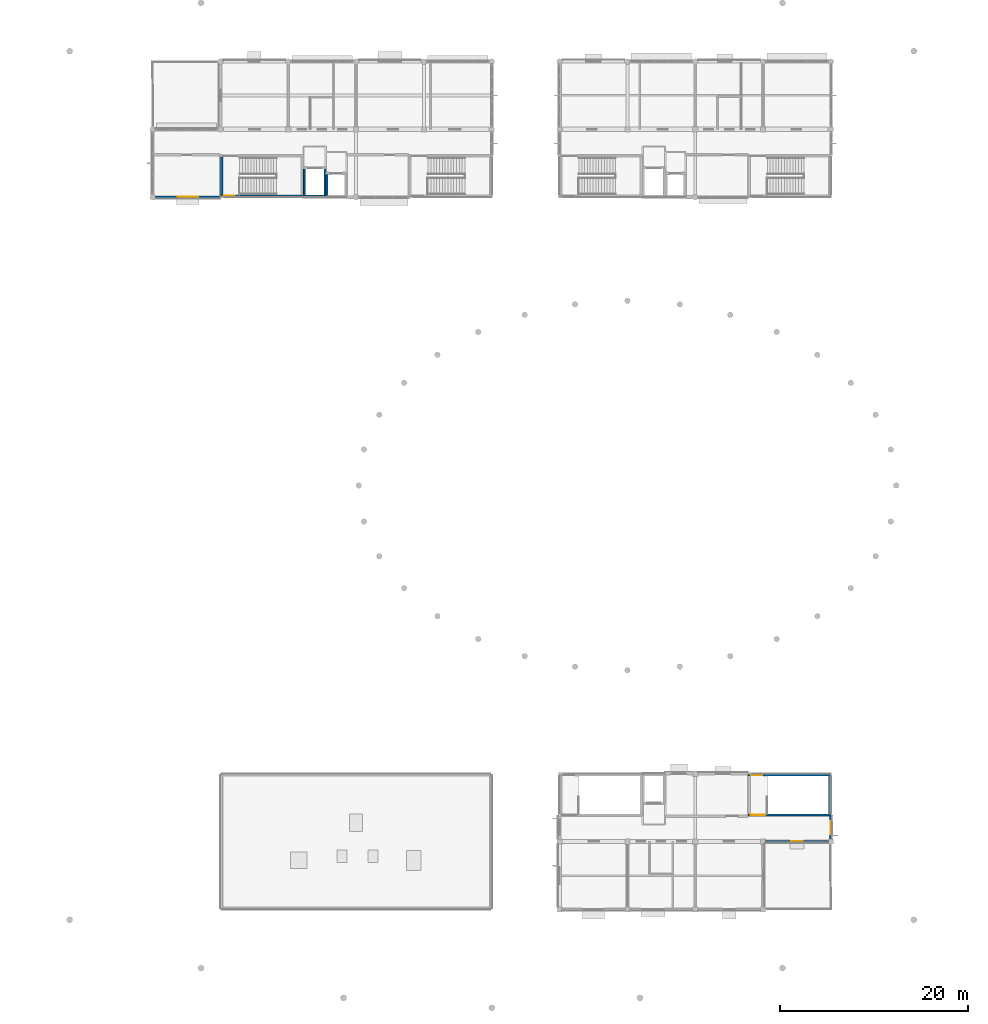
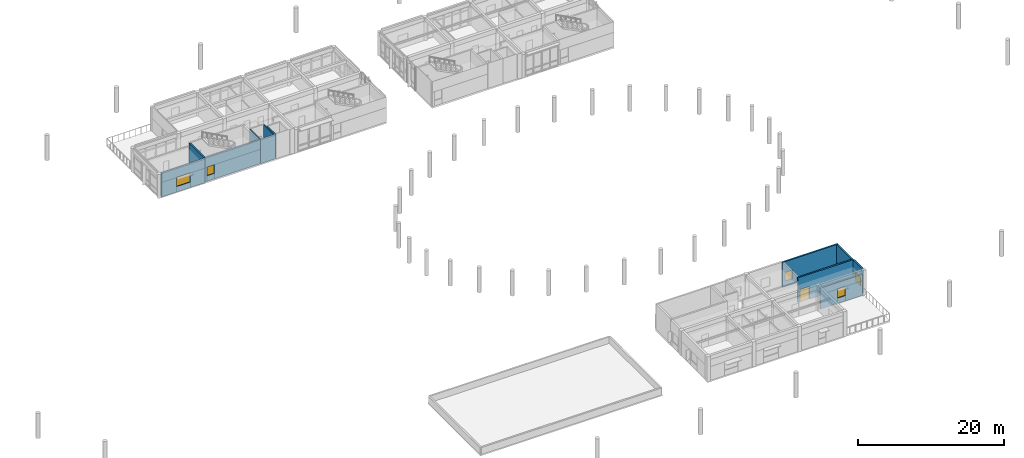
# One storey, part 13 of 29: 12 walls, 5 windows, 1 door, 6 openings.
"""IFC4 building model written with IfcOpenShell, lengths in metres."""

from ifc_helpers import new_model, si_unit, direction, frame, frame_2d, origin, place, context, subcontext, project, spatial, rectangle, extrude, material, layer, layer_set, type_object, element, fill, save


model = new_model("IFC4")

# Units and contexts
model_context = context("Model", 3, precision=1e-05, world=origin(), true_north=direction((0.0, 1.0)))
body_context = subcontext(model_context, "Body", "Model", "MODEL_VIEW")
ifc_project = project(units=[si_unit("LENGTHUNIT", "METRE"), si_unit("AREAUNIT", "SQUARE_METRE"), si_unit("VOLUMEUNIT", "CUBIC_METRE"), si_unit("PLANEANGLEUNIT", "RADIAN"), si_unit("MASSUNIT", "GRAM", prefix="KILO")], contexts=[model_context])

# Site, building, storey
site_placement = place(None, origin())
site = spatial("IfcSite", under=ifc_project, at=site_placement, CompositionType="ELEMENT")
building_placement = place(site_placement, origin())
building = spatial("IfcBuilding", under=site, at=building_placement, Name="Namkhue Oval Health Centre", CompositionType="ELEMENT")
storey_placement = place(building_placement, frame((0.0, 0.0, 18.0)))
storey = spatial("IfcBuildingStorey", under=building, at=storey_placement, Name="L04", CompositionType="ELEMENT", Elevation=18.0)

# Wall, opening, window
ifc_material_1 = material(Name="Autoclaved aerated concrete blockwork M7.5", Category="masonry")
ifc_layer_1 = layer(ifc_material_1, 0.260009765625)
ifc_layer_set_1 = layer_set([ifc_layer_1], Name="Autoclaved aerated concrete blockwork M7.5")
wall_type_1 = type_object("IfcWallType", Name="EXTERIOR ENVELOPE WALL 260", PredefinedType="STANDARD", material=ifc_layer_set_1)
wall_1_placement = place(storey_placement, frame((115.470947265625, 21.60009765625, 0.0), z_axis=(0.0, 0.0, 1.0), x_axis=(1.0, 0.0, 0.0)))
wall_1 = element("IfcWall", 1, at=wall_1_placement, inside=storey, type_object=wall_type_1, Name="Volume V5 L04 Exterior Envelope Wall 153", PredefinedType="STANDARD", context=body_context, shape_type="SweptSolid", body=[
    extrude(rectangle(XDim=6.657958984375, YDim=0.260009765625, at=frame_2d((3.3291015625, 0.0))), origin(), (0.0, 0.0, 1.0), 3.550048828125),
])
opening_1_placement = place(wall_1_placement, frame((2.7041015625, 0.0, 0.89990234375)))
opening_1 = element("IfcOpeningElement", 2, at=opening_1_placement, cuts=wall_1, Name="Opening WN-22", PredefinedType="OPENING", context=body_context, shape_type="SweptSolid", body=[
    extrude(rectangle(XDim=1.25, YDim=1.5400390625, at=frame_2d((0.625, 0.77001953125))), frame((0.0, 0.139892578125, 0.0), z_axis=(0.0, -1.0, 0.0), x_axis=(1.0, 0.0, 0.0)), (0.0, 0.0, 1.0), 0.280029296875),
])
ifc_material_2 = material(Name="Thermally broken low-E laminated double glazing", Category="glass")
window_type_1 = type_object("IfcWindowType", Name="EXTERIOR WINDOW 1250X1540", PartitioningType="SINGLE_PANEL", PredefinedType="WINDOW", material=ifc_material_2)
window_1_placement = place(opening_1_placement, origin())
window_1 = element("IfcWindow", 3, at=window_1_placement, inside=storey, type_object=window_type_1, Name="Volume V5 L04 Exterior Window 112", OverallHeight=1.5400390625, OverallWidth=1.25, PartitioningType="SINGLE_PANEL", PredefinedType="WINDOW", context=body_context, shape_type="SweptSolid", body=[
    extrude(rectangle(XDim=1.25, YDim=1.5400390625, at=frame_2d((0.625, 0.77001953125))), frame((0.0, 0.030029296875, 0.0), z_axis=(0.0, -1.0, 0.0), x_axis=(1.0, 0.0, 0.0)), (0.0, 0.0, 1.0), 0.06005859375),
])
fill(opening_1, window_1)

ifc_layer_2 = layer(ifc_material_1, 0.27001953125)
ifc_layer_set_2 = layer_set([ifc_layer_2], Name="Autoclaved aerated concrete blockwork M7.5")
wall_type_2 = type_object("IfcWallType", Name="EXTERIOR ENVELOPE WALL 270", PredefinedType="STANDARD", material=ifc_layer_set_2)
wall_2_placement = place(storey_placement, frame((122.39990234375, 21.87109375, 0.0), z_axis=(0.0, 0.0, 1.0), x_axis=(0.0, 1.0, 0.0)))
wall_2 = element("IfcWall", 4, at=wall_2_placement, inside=storey, type_object=wall_type_2, Name="Volume V5 L04 Exterior Envelope Wall 154", PredefinedType="STANDARD", context=body_context, shape_type="SweptSolid", body=[
    extrude(rectangle(XDim=2.427001953125, YDim=0.27001953125, at=frame_2d((1.21337890625, 0.0))), origin(), (0.0, 0.0, 1.0), 4.199951171875),
])
opening_2_placement = place(wall_2_placement, frame((0.53857421875, 0.0, 0.89990234375)))
opening_2 = element("IfcOpeningElement", 5, at=opening_2_placement, cuts=wall_2, Name="Opening WN-23", PredefinedType="OPENING", context=body_context, shape_type="SweptSolid", body=[
    extrude(rectangle(XDim=1.35009765625, YDim=1.5400390625, at=frame_2d((0.675048828125, 0.77001953125))), frame((0.0, 0.14501953125, 0.0), z_axis=(0.0, -1.0, 0.0), x_axis=(1.0, 0.0, 0.0)), (0.0, 0.0, 1.0), 0.2900390625),
])
window_type_2 = type_object("IfcWindowType", Name="EXTERIOR WINDOW 1350X1540", PartitioningType="SINGLE_PANEL", PredefinedType="WINDOW", material=ifc_material_2)
window_2_placement = place(opening_2_placement, origin())
window_2 = element("IfcWindow", 6, at=window_2_placement, inside=storey, type_object=window_type_2, Name="Volume V5 L04 Exterior Window 113", OverallHeight=1.5400390625, OverallWidth=1.35009765625, PartitioningType="SINGLE_PANEL", PredefinedType="WINDOW", context=body_context, shape_type="SweptSolid", body=[
    extrude(rectangle(XDim=1.35009765625, YDim=1.5400390625, at=frame_2d((0.675048828125, 0.77001953125))), frame((0.0, 0.030029296875, 0.0), z_axis=(0.0, -1.0, 0.0), x_axis=(1.0, 0.0, 0.0)), (0.0, 0.0, 1.0), 0.06005859375),
])
fill(opening_2, window_2)

ifc_layer_3 = layer(ifc_material_1, 0.280029296875)
ifc_layer_set_3 = layer_set([ifc_layer_3], Name="Autoclaved aerated concrete blockwork M7.5")
wall_type_3 = type_object("IfcWallType", Name="EXTERIOR ENVELOPE WALL 280", PredefinedType="STANDARD", material=ifc_layer_set_3)
wall_3_placement = place(storey_placement, frame((50.695068359375, 90.0, 0.0), z_axis=(0.0, 0.0, 1.0), x_axis=(1.0, 0.0, 0.0)))
wall_3 = element("IfcWall", 7, at=wall_3_placement, inside=storey, type_object=wall_type_3, Name="Volume V2 L04 Exterior Envelope Wall 43", PredefinedType="STANDARD", context=body_context, shape_type="SweptSolid", body=[
    extrude(rectangle(XDim=6.90283203125, YDim=0.280029296875, at=frame_2d((3.451416015625, 0.0))), origin(), (0.0, 0.0, 1.0), 3.93994140625),
])
opening_3_placement = place(wall_3_placement, frame((2.37646484375, 0.0, 0.89990234375)))
opening_3 = element("IfcOpeningElement", 8, at=opening_3_placement, cuts=wall_3, Name="Opening WN-29", PredefinedType="OPENING", context=body_context, shape_type="SweptSolid", body=[
    extrude(rectangle(XDim=2.14990234375, YDim=1.5400390625, at=frame_2d((1.074951171875, 0.77001953125))), frame((0.0, 0.14990234375, 0.0), z_axis=(0.0, -1.0, 0.0), x_axis=(1.0, 0.0, 0.0)), (0.0, 0.0, 1.0), 0.300048828125),
])
window_type_3 = type_object("IfcWindowType", Name="EXTERIOR WINDOW 2150X1540", PartitioningType="SINGLE_PANEL", PredefinedType="WINDOW", material=ifc_material_2)
window_3_placement = place(opening_3_placement, origin())
window_3 = element("IfcWindow", 9, at=window_3_placement, inside=storey, type_object=window_type_3, Name="Volume V2 L04 Exterior Window 29", OverallHeight=1.5400390625, OverallWidth=2.14990234375, PartitioningType="SINGLE_PANEL", PredefinedType="WINDOW", context=body_context, shape_type="SweptSolid", body=[
    extrude(rectangle(XDim=2.14990234375, YDim=1.5400390625, at=frame_2d((1.074951171875, 0.77001953125))), frame((0.0, 0.030029296875, 0.0), z_axis=(0.0, -1.0, 0.0), x_axis=(1.0, 0.0, 0.0)), (0.0, 0.0, 1.0), 0.06005859375),
])
fill(opening_3, window_3)

ifc_material_3 = material(Name="Reinforced concrete C35/45 (TCVN B40)", Category="concrete")
ifc_layer_4 = layer(ifc_material_3, 0.25)
ifc_layer_set_4 = layer_set([ifc_layer_4], Name="Reinforced concrete C35/45 (TCVN B40)")
wall_type_4 = type_object("IfcWallType", Name="SHEAR CORE WALL EXT 250", PredefinedType="SHEAR", material=ifc_layer_set_4)
wall_4_placement = place(storey_placement, frame((57.60009765625, 90.125, 0.0), z_axis=(0.0, 0.0, 1.0), x_axis=(1.0, 0.0, 0.0)))
wall_4 = element("IfcWall", 10, at=wall_4_placement, inside=storey, type_object=wall_type_4, Name="Core SC-03 L04 Shear Wall S", PredefinedType="SHEAR", context=body_context, shape_type="SweptSolid", body=[
    extrude(rectangle(XDim=8.7998046875, YDim=0.25, at=frame_2d((4.39990234375, 0.0))), origin(), (0.0, 0.0, 1.0), 3.93994140625),
])
opening_4_placement = place(wall_4_placement, frame((0.35009765625, 0.0, 0.919921875)))
opening_4 = element("IfcOpeningElement", 11, at=opening_4_placement, cuts=wall_4, Name="Opening SWN-01", PredefinedType="OPENING", context=body_context, shape_type="SweptSolid", body=[
    extrude(rectangle(XDim=1.179931640625, YDim=1.47998046875, at=frame_2d((0.58984375, 0.739990234375))), frame((0.0, 0.135009765625, 0.0), z_axis=(0.0, -1.0, 0.0), x_axis=(1.0, 0.0, 0.0)), (0.0, 0.0, 1.0), 0.27001953125),
])
ifc_material_4 = material(Name="Fire-rated insulated safety double glazing", Category="glass")
window_type_4 = type_object("IfcWindowType", Name="EXTERIOR WINDOW STAIRWELL 1180X1480", PartitioningType="SINGLE_PANEL", PredefinedType="WINDOW", material=ifc_material_4)
window_4_placement = place(opening_4_placement, origin())
window_4 = element("IfcWindow", 12, at=window_4_placement, inside=storey, type_object=window_type_4, Name="Stair ST-03 L04 Stairwell Daylight Window", OverallHeight=1.47998046875, OverallWidth=1.179931640625, PartitioningType="SINGLE_PANEL", PredefinedType="WINDOW", context=body_context, shape_type="SweptSolid", body=[
    extrude(rectangle(XDim=1.179931640625, YDim=1.47998046875, at=frame_2d((0.58984375, 0.739990234375))), frame((0.0, 0.030029296875, 0.0), z_axis=(0.0, -1.0, 0.0), x_axis=(1.0, 0.0, 0.0)), (0.0, 0.0, 1.0), 0.06005859375),
])
fill(opening_4, window_4)

# Wall
wall_5_placement = place(storey_placement, frame((122.27490234375, 24.550048828125, 0.0), z_axis=(0.0, 0.0, 1.0), x_axis=(0.0, 1.0, 0.0)))
element("IfcWall", 13, at=wall_5_placement, inside=storey, type_object=wall_type_4, Name="Core SC-10 L04 Shear Wall E", PredefinedType="SHEAR", context=body_context, shape_type="SweptSolid", body=[
    extrude(rectangle(XDim=4.0, YDim=0.25, at=frame_2d((2.0, 0.0))), origin(), (0.0, 0.0, 1.0), 4.199951171875),
])

# Wall, opening, window
wall_6_placement = place(storey_placement, frame((122.39990234375, 28.675048828125, 0.0), z_axis=(0.0, 0.0, 1.0), x_axis=(-1.0, 0.0, 0.0)))
wall_6 = element("IfcWall", 14, at=wall_6_placement, inside=storey, type_object=wall_type_4, Name="Core SC-10 L04 Shear Wall N", PredefinedType="SHEAR", context=body_context, shape_type="SweptSolid", body=[
    extrude(rectangle(XDim=8.7998046875, YDim=0.25, at=frame_2d((4.39990234375, 0.0))), origin(), (0.0, 0.0, 1.0), 4.199951171875),
])
opening_5_placement = place(wall_6_placement, frame((7.27001953125, 0.0, 0.919921875)))
opening_5 = element("IfcOpeningElement", 15, at=opening_5_placement, cuts=wall_6, Name="Opening SWN-01", PredefinedType="OPENING", context=body_context, shape_type="SweptSolid", body=[
    extrude(rectangle(XDim=1.179931640625, YDim=1.47998046875, at=frame_2d((0.58984375, 0.739990234375))), frame((0.0, 0.135009765625, 0.0), z_axis=(0.0, -1.0, 0.0), x_axis=(1.0, 0.0, 0.0)), (0.0, 0.0, 1.0), 0.27001953125),
])
window_5_placement = place(opening_5_placement, origin())
window_5 = element("IfcWindow", 16, at=window_5_placement, inside=storey, type_object=window_type_4, Name="Stair ST-10 L04 Stairwell Daylight Window", OverallHeight=1.47998046875, OverallWidth=1.179931640625, PartitioningType="SINGLE_PANEL", PredefinedType="WINDOW", context=body_context, shape_type="SweptSolid", body=[
    extrude(rectangle(XDim=1.179931640625, YDim=1.47998046875, at=frame_2d((0.58984375, 0.739990234375))), frame((0.0, 0.030029296875, 0.0), z_axis=(0.0, -1.0, 0.0), x_axis=(1.0, 0.0, 0.0)), (0.0, 0.0, 1.0), 0.06005859375),
])
fill(opening_5, window_5)

# Walls
wall_7_placement = place(storey_placement, frame((66.39990234375, 90.10009765625, 0.0), z_axis=(0.0, 0.0, 1.0), x_axis=(1.0, 0.0, 0.0)))
element("IfcWall", 17, at=wall_7_placement, inside=storey, type_object=wall_type_4, Name="Lift LF-01 L04 Shaft Wall S", PredefinedType="SHEAR", context=body_context, shape_type="SweptSolid", body=[
    extrude(rectangle(XDim=2.400146484375, YDim=0.25, at=frame_2d((1.2001953125, 0.0))), origin(), (0.0, 0.0, 1.0), 3.93994140625),
])
ifc_layer_5 = layer(ifc_material_3, 0.199951171875)
ifc_layer_set_5 = layer_set([ifc_layer_5], Name="Reinforced concrete C35/45 (TCVN B40)")
wall_type_5 = type_object("IfcWallType", Name="SHEAR CORE WALL INT 200", PredefinedType="SHEAR", material=ifc_layer_set_5)
for number, where, z_axis, x_axis, name in (
    (18, (68.699951171875, 90.199951171875, 0.0), (0.0, 0.0, 1.0), (0.0, 1.0, 0.0), "Lift LF-01 L04 Shaft Wall E"),
    (19, (66.5, 93.0, 0.0), (0.0, 0.0, 1.0), (0.0, -1.0, 0.0), "Lift LF-01 L04 Shaft Wall W"),
):
    element("IfcWall", number, at=place(storey_placement, frame(where, z_axis=z_axis, x_axis=x_axis)), inside=storey, type_object=wall_type_5, Name=name, PredefinedType="SHEAR", context=body_context, shape_type="SweptSolid", body=[
        extrude(rectangle(XDim=2.800048828125, YDim=0.199951171875, at=frame_2d((1.39990234375, 0.0))), origin(), (0.0, 0.0, 1.0), 3.93994140625),
    ])
wall_8_placement = place(storey_placement, frame((68.89990234375, 92.39990234375, 0.0), z_axis=(0.0, 0.0, 1.0), x_axis=(0.0, -1.0, 0.0)))
element("IfcWall", 20, at=wall_8_placement, inside=storey, type_object=wall_type_5, Name="Lift LF-02 L04 Shaft Wall W", PredefinedType="SHEAR", context=body_context, shape_type="SweptSolid", body=[
    extrude(rectangle(XDim=2.199951171875, YDim=0.199951171875, at=frame_2d((1.10009765625, 0.0))), origin(), (0.0, 0.0, 1.0), 3.93994140625),
])
ifc_layer_6 = layer(ifc_material_3, 0.25)
ifc_layer_set_6 = layer_set([ifc_layer_6], Name="Reinforced concrete C35/45 (TCVN B40)")
wall_type_6 = type_object("IfcWallType", Name="SHEAR CORE WALL INT 250", PredefinedType="SHEAR", material=ifc_layer_set_6)
wall_9_placement = place(storey_placement, frame((57.72509765625, 94.25, 0.0), z_axis=(0.0, 0.0, 1.0), x_axis=(0.0, -1.0, 0.0)))
element("IfcWall", 21, at=wall_9_placement, inside=storey, type_object=wall_type_6, Name="Core SC-03 L04 Shear Wall W", PredefinedType="SHEAR", context=body_context, shape_type="SweptSolid", body=[
    extrude(rectangle(XDim=4.0, YDim=0.25, at=frame_2d((2.0, 0.0))), origin(), (0.0, 0.0, 1.0), 3.93994140625),
])

# Wall, opening, door
wall_10_placement = place(storey_placement, frame((113.60009765625, 24.425048828125, 0.0), z_axis=(0.0, 0.0, 1.0), x_axis=(1.0, 0.0, 0.0)))
wall_10 = element("IfcWall", 22, at=wall_10_placement, inside=storey, type_object=wall_type_6, Name="Core SC-10 L04 Shear Wall S", PredefinedType="SHEAR", context=body_context, shape_type="SweptSolid", body=[
    extrude(rectangle(XDim=8.7998046875, YDim=0.25, at=frame_2d((4.39990234375, 0.0))), origin(), (0.0, 0.0, 1.0), 4.199951171875),
])
opening_6_placement = place(wall_10_placement, frame((0.300048828125, 0.0, 0.0)))
opening_6 = element("IfcOpeningElement", 23, at=opening_6_placement, cuts=wall_10, Name="Opening SD-I1", PredefinedType="OPENING", context=body_context, shape_type="SweptSolid", body=[
    extrude(rectangle(XDim=1.5, YDim=2.14990234375, at=frame_2d((0.75, 1.074951171875))), frame((0.0, 0.135009765625, 0.0), z_axis=(0.0, -1.0, 0.0), x_axis=(1.0, 0.0, 0.0)), (0.0, 0.0, 1.0), 0.27001953125),
])
ifc_material_5 = material(Name="Powder-coated steel fire door assembly", Category="steel")
door_type = type_object("IfcDoorType", Name="CLINICAL DOOR STAIR CORE 1500X2150", OperationType="DOUBLE_DOOR_SINGLE_SWING", PredefinedType="DOOR", material=ifc_material_5)
door_placement = place(opening_6_placement, origin())
door = element("IfcDoor", 24, at=door_placement, inside=storey, type_object=door_type, Name="Stair ST-10 L04 Stair Enclosure Fire Door", OperationType="DOUBLE_DOOR_SINGLE_SWING", OverallHeight=2.14990234375, OverallWidth=1.5, PredefinedType="DOOR", context=body_context, shape_type="SweptSolid", body=[
    extrude(rectangle(XDim=1.5, YDim=2.14990234375, at=frame_2d((0.75, 1.074951171875))), frame((0.0, 0.02490234375, 0.0), z_axis=(0.0, -1.0, 0.0), x_axis=(1.0, 0.0, 0.0)), (0.0, 0.0, 1.0), 0.050048828125),
])
fill(opening_6, door)

save(model, "model.ifc")
